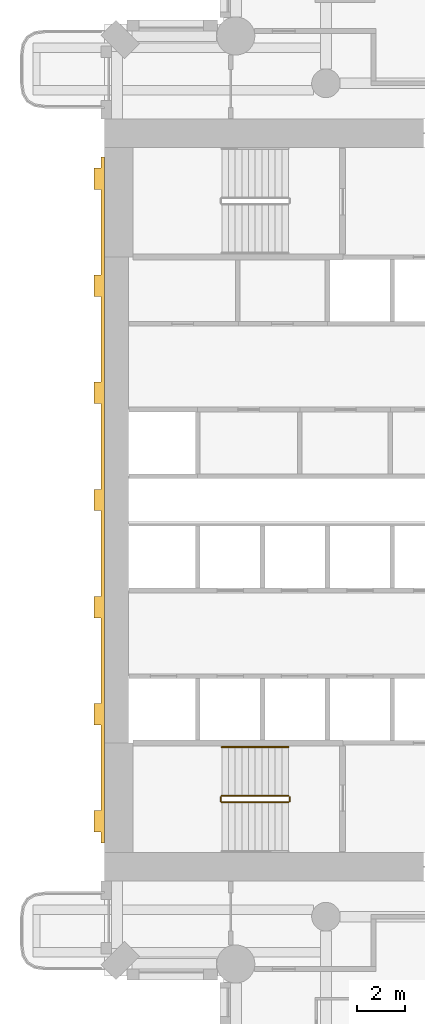
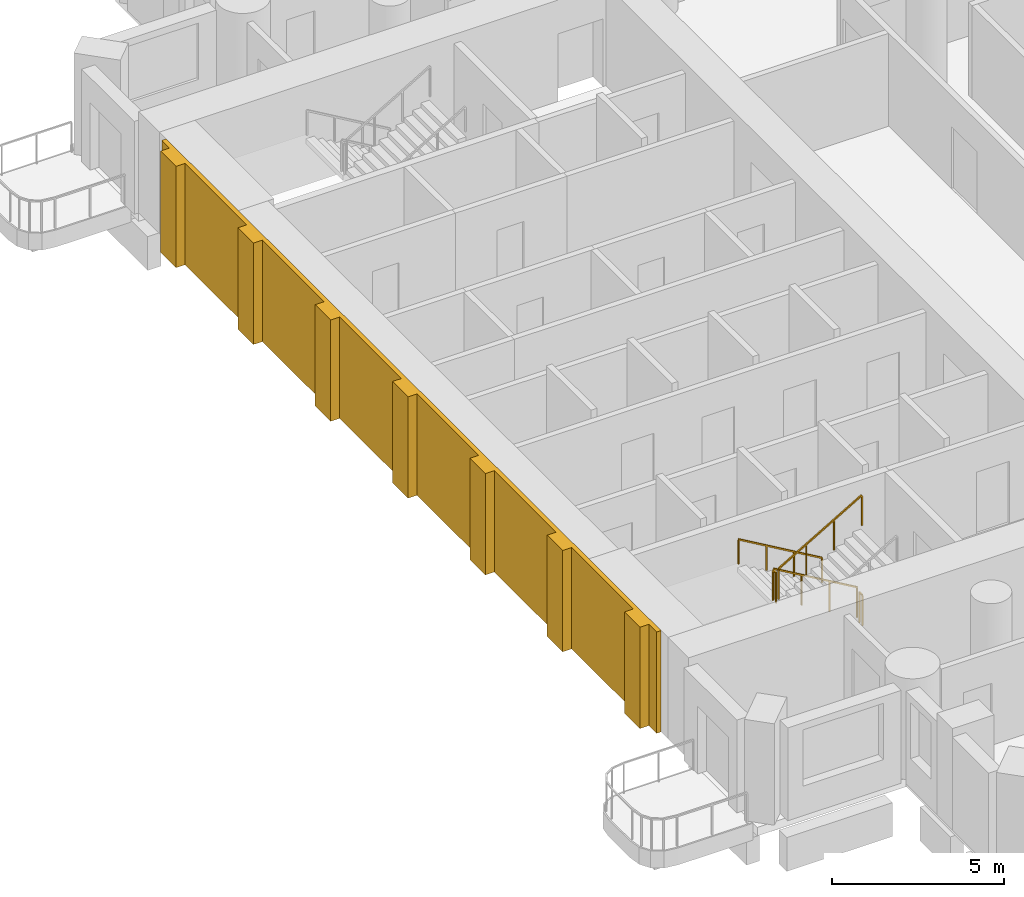
# One storey, part 14 of 20: 5 railings, 1 covering.
"""IFC4 building model written with IfcOpenShell, lengths in metres."""

from ifc_helpers import new_model, si_unit, direction, frame, origin, origin_2d, place, context, subcontext, project, spatial, polyline, rectangle, outline, extrude, material, layer, layer_set, type_object, element, save


model = new_model("IFC4")

# Units and contexts
model_context = context("Model", 3, precision=1e-05, world=origin(), true_north=direction((0.0, 1.0)))
body_context = subcontext(model_context, "Body", "Model", "MODEL_VIEW")
ifc_project = project(units=[si_unit("LENGTHUNIT", "METRE"), si_unit("AREAUNIT", "SQUARE_METRE"), si_unit("VOLUMEUNIT", "CUBIC_METRE"), si_unit("PLANEANGLEUNIT", "RADIAN"), si_unit("MASSUNIT", "GRAM", prefix="KILO")], contexts=[model_context])

# Site, building, storey
site_placement = place(None, origin())
site = spatial("IfcSite", under=ifc_project, at=site_placement, CompositionType="ELEMENT")
building_placement = place(site_placement, origin())
building = spatial("IfcBuilding", under=site, at=building_placement, Name="Cypress Arch Tower", CompositionType="ELEMENT")
storey_placement = place(building_placement, frame((0.0, 0.0, 91.5)))
storey = spatial("IfcBuildingStorey", under=building, at=storey_placement, Name="L17", CompositionType="ELEMENT", Elevation=91.5)

# Railings
ifc_material_1 = material(Name="Black powder-coated steel square bar 48 mm", Category="steel")
railing_type_1 = type_object("IfcRailingType", Name="Stair handrail HR1", PredefinedType="HANDRAIL", material=ifc_material_1)
railing_1_placement = place(storey_placement, frame((-22.27490234375, -10.375, 0.16357421875)))
element("IfcRailing", 1, at=railing_1_placement, inside=storey, type_object=railing_type_1, Name="L17 A stair handrail 1", PredefinedType="HANDRAIL", context=body_context, shape_type="SweptSolid", body=[
    extrude(rectangle(XDim=0.048095703125, YDim=0.048095703125, at=origin_2d()), frame((0.0, 0.0, 0.8759765625), z_axis=(-0.863360870873, 0.0, 0.504586966384), x_axis=(0.0, -1.0, 0.0)), (0.0, 0.0, 1.0), 3.2431640625),
    extrude(rectangle(XDim=0.0419921875, YDim=0.0419921875, at=origin_2d()), origin(), (0.0, 0.0, 1.0), 0.851806640625),
    extrude(rectangle(XDim=0.0419921875, YDim=0.0419921875, at=origin_2d()), frame((-0.933349609375, 0.0, 0.54541015625)), (0.0, 0.0, 1.0), 0.851806640625),
    extrude(rectangle(XDim=0.0419921875, YDim=0.0419921875, at=origin_2d()), frame((-1.86669921875, 0.0, 1.091064453125)), (0.0, 0.0, 1.0), 0.851806640625),
    extrude(rectangle(XDim=0.0419921875, YDim=0.0419921875, at=origin_2d()), frame((-2.800048828125, 0.0, 1.636474609375)), (0.0, 0.0, 1.0), 0.851806640625),
])
ifc_material_2 = material(Name="Black powder-coated steel balusters", Category="steel")
railing_type_2 = type_object("IfcRailingType", Name="Stair well guard G1", PredefinedType="GUARDRAIL", material=ifc_material_2)
railing_2_placement = place(storey_placement, frame((-22.27490234375, -12.425048828125, 0.16357421875)))
element("IfcRailing", 2, at=railing_2_placement, inside=storey, type_object=railing_type_2, Name="L17 A stair guard 1", PredefinedType="GUARDRAIL", context=body_context, shape_type="SweptSolid", body=[
    extrude(rectangle(XDim=0.048095703125, YDim=0.048095703125, at=origin_2d()), frame((0.0, 0.0, 1.076171875), z_axis=(-0.863360870873, 0.0, 0.504586966384), x_axis=(0.0, -1.0, 0.0)), (0.0, 0.0, 1.0), 3.2431640625),
    extrude(rectangle(XDim=0.0419921875, YDim=0.0419921875, at=origin_2d()), origin(), (0.0, 0.0, 1.0), 1.052001953125),
    extrude(rectangle(XDim=0.0419921875, YDim=0.0419921875, at=origin_2d()), frame((-0.933349609375, 0.0, 0.54541015625)), (0.0, 0.0, 1.0), 1.052001953125),
    extrude(rectangle(XDim=0.0419921875, YDim=0.0419921875, at=origin_2d()), frame((-1.86669921875, 0.0, 1.091064453125)), (0.0, 0.0, 1.0), 1.052001953125),
    extrude(rectangle(XDim=0.0419921875, YDim=0.0419921875, at=origin_2d()), frame((-2.800048828125, 0.0, 1.636474609375)), (0.0, 0.0, 1.0), 1.052001953125),
])
railing_3_placement = place(storey_placement, frame((-25.125, -12.47509765625, 1.800048828125)))
element("IfcRailing", 3, at=railing_3_placement, inside=storey, type_object=railing_type_2, Name="L17 A stair guard 2", PredefinedType="GUARDRAIL", context=body_context, shape_type="SweptSolid", body=[
    extrude(rectangle(XDim=0.048095703125, YDim=0.048095703125, at=origin_2d()), frame((0.0, 0.0, 1.076171875), z_axis=(0.0, -1.0, 0.0), x_axis=(1.0, 0.0, 0.0)), (0.0, 0.0, 1.0), 0.1748046875),
    extrude(rectangle(XDim=0.0419921875, YDim=0.0419921875, at=origin_2d()), origin(), (0.0, 0.0, 1.0), 1.052001953125),
    extrude(rectangle(XDim=0.0419921875, YDim=0.0419921875, at=origin_2d()), frame((0.0, -0.1748046875, 0.0)), (0.0, 0.0, 1.0), 1.052001953125),
])
railing_4_placement = place(storey_placement, frame((-25.074951171875, -12.699951171875, 1.963623046875)))
element("IfcRailing", 4, at=railing_4_placement, inside=storey, type_object=railing_type_2, Name="L17 A stair guard 3", PredefinedType="GUARDRAIL", context=body_context, shape_type="SweptSolid", body=[
    extrude(rectangle(XDim=0.048095703125, YDim=0.048095703125, at=origin_2d()), frame((0.0, 0.0, 1.076171875), z_axis=(0.863360870873, 0.0, 0.504586966384), x_axis=(0.0, 1.0, 0.0)), (0.0, 0.0, 1.0), 3.2431640625),
    extrude(rectangle(XDim=0.0419921875, YDim=0.0419921875, at=origin_2d()), origin(), (0.0, 0.0, 1.0), 1.052001953125),
    extrude(rectangle(XDim=0.0419921875, YDim=0.0419921875, at=origin_2d()), frame((0.933349609375, 0.0, 0.54541015625)), (0.0, 0.0, 1.0), 1.052001953125),
    extrude(rectangle(XDim=0.0419921875, YDim=0.0419921875, at=origin_2d()), frame((1.86669921875, 0.0, 1.091064453125)), (0.0, 0.0, 1.0), 1.052001953125),
    extrude(rectangle(XDim=0.0419921875, YDim=0.0419921875, at=origin_2d()), frame((2.800048828125, 0.0, 1.636474609375)), (0.0, 0.0, 1.0), 1.052001953125),
])
railing_5_placement = place(storey_placement, frame((-22.22509765625, -12.47509765625, 0.0)))
element("IfcRailing", 5, at=railing_5_placement, inside=storey, type_object=railing_type_2, Name="L17 A stair guard 4", PredefinedType="GUARDRAIL", context=body_context, shape_type="SweptSolid", body=[
    extrude(rectangle(XDim=0.048095703125, YDim=0.048095703125, at=origin_2d()), frame((0.0, 0.0, 1.076171875), z_axis=(0.0, -1.0, 0.0), x_axis=(1.0, 0.0, 0.0)), (0.0, 0.0, 1.0), 0.1748046875),
    extrude(rectangle(XDim=0.0419921875, YDim=0.0419921875, at=origin_2d()), origin(), (0.0, 0.0, 1.0), 1.052001953125),
    extrude(rectangle(XDim=0.0419921875, YDim=0.0419921875, at=origin_2d()), frame((0.0, -0.1748046875, 0.0)), (0.0, 0.0, 1.0), 1.052001953125),
])

# Covering
ifc_material_3 = material(Name="Brick (red buff blend)", Category="masonry")
ifc_layer = layer(ifc_material_3, 0.449951171875)
ifc_layer_set = layer_set([ifc_layer], Name="West face brick piers WP450")
covering_type = type_object("IfcCoveringType", Name="West face brick piers WP450", PredefinedType="CLADDING", material=ifc_layer_set)
covering_placement = place(storey_placement, origin())
element("IfcCovering", 6, at=covering_placement, inside=storey, type_object=covering_type, Name="West face brick piers L17", PredefinedType="CLADDING", context=body_context, shape_type="SweptSolid", body=[
    extrude(outline(polyline([(-30.14990234375, -13.050048828125), (-30.14990234375, -9.449951171875), (-30.449951171875, -9.449951171875), (-30.449951171875, -8.550048828125), (-30.14990234375, -8.550048828125), (-30.14990234375, -4.949951171875), (-30.449951171875, -4.949951171875), (-30.449951171875, -4.050048828125), (-30.14990234375, -4.050048828125), (-30.14990234375, -0.449951171875), (-30.449951171875, -0.449951171875), (-30.449951171875, 0.449951171875), (-30.14990234375, 0.449951171875), (-30.14990234375, 4.050048828125), (-30.449951171875, 4.050048828125), (-30.449951171875, 4.949951171875), (-30.14990234375, 4.949951171875), (-30.14990234375, 8.550048828125), (-30.449951171875, 8.550048828125), (-30.449951171875, 9.449951171875), (-30.14990234375, 9.449951171875), (-30.14990234375, 13.050048828125), (-30.449951171875, 13.050048828125), (-30.449951171875, 13.949951171875), (-30.14990234375, 13.949951171875), (-30.14990234375, 14.39990234375), (-30.0, 14.39990234375), (-30.0, -14.39990234375), (-30.14990234375, -14.39990234375), (-30.14990234375, -13.949951171875), (-30.449951171875, -13.949951171875), (-30.449951171875, -13.050048828125), (-30.14990234375, -13.050048828125)])), origin(), (0.0, 0.0, 1.0), 3.60009765625),
])

save(model, "model.ifc")
